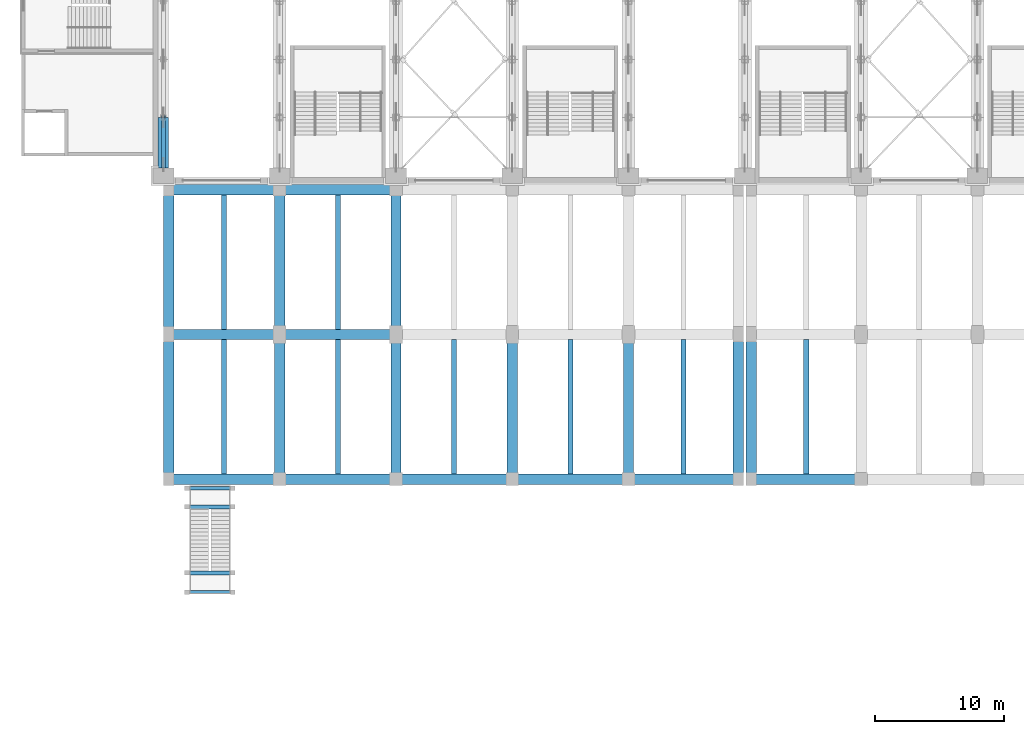
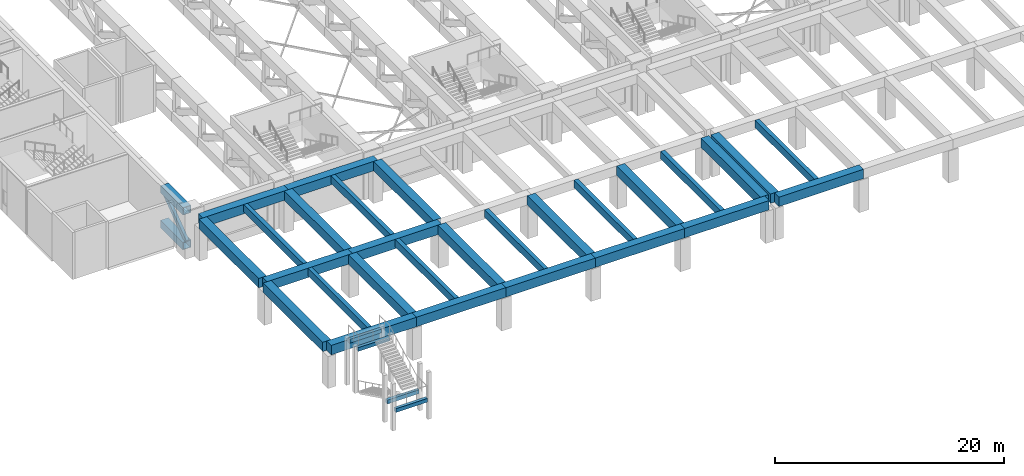
# One storey, part 7 of 76: 32 beams, 3 members.
"""IFC4 building model written with IfcOpenShell, lengths in metres."""

from ifc_helpers import new_model, si_unit, direction, frame, origin, origin_2d, place, context, subcontext, project, spatial, rectangle, hollow_rectangle, extrude, material, material_profile, profile_set, type_object, element, save


model = new_model("IFC4")

# Units and contexts
model_context = context("Model", 3, precision=1e-05, world=origin(), true_north=direction((0.0, 1.0)))
body_context = subcontext(model_context, "Body", "Model", "MODEL_VIEW")
ifc_project = project(units=[si_unit("LENGTHUNIT", "METRE"), si_unit("AREAUNIT", "SQUARE_METRE"), si_unit("VOLUMEUNIT", "CUBIC_METRE"), si_unit("PLANEANGLEUNIT", "RADIAN"), si_unit("MASSUNIT", "GRAM", prefix="KILO")], contexts=[model_context])

# Site, building, storey
site_placement = place(None, origin())
site = spatial("IfcSite", under=ifc_project, at=site_placement, CompositionType="ELEMENT")
building_placement = place(site_placement, origin())
building = spatial("IfcBuilding", under=site, at=building_placement, Name="Aravalli Gate Trade Fair Centre", CompositionType="ELEMENT")
storey_placement = place(building_placement, frame((0.0, 0.0, 10.0)))
storey = spatial("IfcBuildingStorey", under=building, at=storey_placement, Name="L02", CompositionType="ELEMENT", Elevation=10.0)

# Beams
ifc_material_1 = material(Name="Concrete M45", Category="concrete")
ifc_material_profile_1 = material_profile(ifc_material_1, rectangle(XDim=0.800048828125, YDim=1.0, at=origin_2d()), Name="Deck girder RC 800 x 1000")
ifc_profile_set_1 = profile_set([ifc_material_profile_1], Name="Concrete M45")
beam_type_1 = type_object("IfcBeamType", Name="Deck girder RC 800 x 1000", PredefinedType="BEAM", material=ifc_profile_set_1)
beam_1_placement = place(storey_placement, frame((6.39990234375, 22.5, 3.89990234375), z_axis=(1.0, 0.0, 0.0), x_axis=(0.0, 1.0, 0.0)))
element("IfcBeam", 1, at=beam_1_placement, inside=storey, type_object=beam_type_1, Name="Beam SB3-001", PredefinedType="BEAM", context=body_context, shape_type="SweptSolid", body=[
    extrude(rectangle(XDim=0.800048828125, YDim=1.0, at=origin_2d()), origin(), (0.0, 0.0, 1.0), 8.60009765625),
])
for number, where, z_axis, x_axis, name in (
    (2, (15.0, 22.5, 3.89990234375), (1.0, 0.0, 0.0), (0.0, 1.0, 0.0), "Beam SB3-002"),
    (3, (24.0, 22.5, 3.89990234375), (1.0, 0.0, 0.0), (0.0, 1.0, 0.0), "Beam SB3-003"),
    (4, (33.0, 22.5, 3.89990234375), (1.0, 0.0, 0.0), (0.0, 1.0, 0.0), "Beam SB3-004"),
):
    element("IfcBeam", number, at=place(storey_placement, frame(where, z_axis=z_axis, x_axis=x_axis)), inside=storey, type_object=beam_type_1, Name=name, PredefinedType="BEAM", context=body_context, shape_type="SweptSolid", body=[
        extrude(rectangle(XDim=0.800048828125, YDim=1.0, at=origin_2d()), origin(), (0.0, 0.0, 1.0), 9.0),
    ])
beam_2_placement = place(storey_placement, frame((42.0, 22.5, 3.89990234375), z_axis=(1.0, 0.0, 0.0), x_axis=(0.0, 1.0, 0.0)))
element("IfcBeam", 5, at=beam_2_placement, inside=storey, type_object=beam_type_1, Name="Beam SB3-005", PredefinedType="BEAM", context=body_context, shape_type="SweptSolid", body=[
    extrude(rectangle(XDim=0.800048828125, YDim=1.0, at=origin_2d()), origin(), (0.0, 0.0, 1.0), 8.5),
])
beam_3_placement = place(storey_placement, frame((6.39990234375, 33.699951171875, 3.89990234375), z_axis=(1.0, 0.0, 0.0), x_axis=(0.0, 1.0, 0.0)))
element("IfcBeam", 6, at=beam_3_placement, inside=storey, type_object=beam_type_1, Name="Beam SB3-006", PredefinedType="BEAM", context=body_context, shape_type="SweptSolid", body=[
    extrude(rectangle(XDim=0.800048828125, YDim=1.0, at=origin_2d()), origin(), (0.0, 0.0, 1.0), 8.60009765625),
])
beam_4_placement = place(storey_placement, frame((15.0, 33.699951171875, 3.89990234375), z_axis=(1.0, 0.0, 0.0), x_axis=(0.0, 1.0, 0.0)))
element("IfcBeam", 7, at=beam_4_placement, inside=storey, type_object=beam_type_1, Name="Beam SB3-007", PredefinedType="BEAM", context=body_context, shape_type="SweptSolid", body=[
    extrude(rectangle(XDim=0.800048828125, YDim=1.0, at=origin_2d()), origin(), (0.0, 0.0, 1.0), 9.0),
])
beam_5_placement = place(storey_placement, frame((6.39990234375, 44.89990234375, 3.89990234375), z_axis=(1.0, 0.0, 0.0), x_axis=(0.0, 1.0, 0.0)))
element("IfcBeam", 8, at=beam_5_placement, inside=storey, type_object=beam_type_1, Name="Beam SB3-011", PredefinedType="BEAM", context=body_context, shape_type="SweptSolid", body=[
    extrude(rectangle(XDim=0.800048828125, YDim=1.0, at=origin_2d()), origin(), (0.0, 0.0, 1.0), 8.60009765625),
])
beam_6_placement = place(storey_placement, frame((15.0, 44.89990234375, 3.89990234375), z_axis=(1.0, 0.0, 0.0), x_axis=(0.0, 1.0, 0.0)))
element("IfcBeam", 9, at=beam_6_placement, inside=storey, type_object=beam_type_1, Name="Beam SB3-012", PredefinedType="BEAM", context=body_context, shape_type="SweptSolid", body=[
    extrude(rectangle(XDim=0.800048828125, YDim=1.0, at=origin_2d()), origin(), (0.0, 0.0, 1.0), 9.0),
])
beam_7_placement = place(storey_placement, frame((6.39990234375, 22.89990234375, 3.89990234375), z_axis=(0.0, 1.0, 0.0), x_axis=(-1.0, 0.0, 0.0)))
element("IfcBeam", 10, at=beam_7_placement, inside=storey, type_object=beam_type_1, Name="Beam SB3-016", PredefinedType="BEAM", context=body_context, shape_type="SweptSolid", body=[
    extrude(rectangle(XDim=0.800048828125, YDim=1.0, at=origin_2d()), origin(), (0.0, 0.0, 1.0), 10.400146484375),
])
beam_8_placement = place(storey_placement, frame((6.39990234375, 34.10009765625, 3.89990234375), z_axis=(0.0, 1.0, 0.0), x_axis=(-1.0, 0.0, 0.0)))
element("IfcBeam", 11, at=beam_8_placement, inside=storey, type_object=beam_type_1, Name="Beam SB3-017", PredefinedType="BEAM", context=body_context, shape_type="SweptSolid", body=[
    extrude(rectangle(XDim=0.800048828125, YDim=1.0, at=origin_2d()), origin(), (0.0, 0.0, 1.0), 10.39990234375),
])
beam_9_placement = place(storey_placement, frame((15.0, 22.89990234375, 3.89990234375), z_axis=(0.0, 1.0, 0.0), x_axis=(-1.0, 0.0, 0.0)))
element("IfcBeam", 12, at=beam_9_placement, inside=storey, type_object=beam_type_1, Name="Beam SB3-018", PredefinedType="BEAM", context=body_context, shape_type="SweptSolid", body=[
    extrude(rectangle(XDim=0.800048828125, YDim=1.0, at=origin_2d()), origin(), (0.0, 0.0, 1.0), 10.400146484375),
])
beam_10_placement = place(storey_placement, frame((15.0, 34.10009765625, 3.89990234375), z_axis=(0.0, 1.0, 0.0), x_axis=(-1.0, 0.0, 0.0)))
element("IfcBeam", 13, at=beam_10_placement, inside=storey, type_object=beam_type_1, Name="Beam SB3-019", PredefinedType="BEAM", context=body_context, shape_type="SweptSolid", body=[
    extrude(rectangle(XDim=0.800048828125, YDim=1.0, at=origin_2d()), origin(), (0.0, 0.0, 1.0), 10.39990234375),
])
beam_11_placement = place(storey_placement, frame((24.0, 22.89990234375, 3.89990234375), z_axis=(0.0, 1.0, 0.0), x_axis=(-1.0, 0.0, 0.0)))
element("IfcBeam", 14, at=beam_11_placement, inside=storey, type_object=beam_type_1, Name="Beam SB3-020", PredefinedType="BEAM", context=body_context, shape_type="SweptSolid", body=[
    extrude(rectangle(XDim=0.800048828125, YDim=1.0, at=origin_2d()), origin(), (0.0, 0.0, 1.0), 10.400146484375),
])
beam_12_placement = place(storey_placement, frame((24.0, 34.10009765625, 3.89990234375), z_axis=(0.0, 1.0, 0.0), x_axis=(-1.0, 0.0, 0.0)))
element("IfcBeam", 15, at=beam_12_placement, inside=storey, type_object=beam_type_1, Name="Beam SB3-021", PredefinedType="BEAM", context=body_context, shape_type="SweptSolid", body=[
    extrude(rectangle(XDim=0.800048828125, YDim=1.0, at=origin_2d()), origin(), (0.0, 0.0, 1.0), 10.39990234375),
])
for number, where, z_axis, x_axis, name in (
    (16, (33.0, 22.89990234375, 3.89990234375), (0.0, 1.0, 0.0), (-1.0, 0.0, 0.0), "Beam SB3-022"),
    (17, (42.0, 22.89990234375, 3.89990234375), (0.0, 1.0, 0.0), (-1.0, 0.0, 0.0), "Beam SB3-024"),
    (18, (50.5, 22.89990234375, 3.89990234375), (0.0, 1.0, 0.0), (-1.0, 0.0, 0.0), "Beam SB3-026"),
):
    element("IfcBeam", number, at=place(storey_placement, frame(where, z_axis=z_axis, x_axis=x_axis)), inside=storey, type_object=beam_type_1, Name=name, PredefinedType="BEAM", context=body_context, shape_type="SweptSolid", body=[
        extrude(rectangle(XDim=0.800048828125, YDim=1.0, at=origin_2d()), origin(), (0.0, 0.0, 1.0), 10.400146484375),
    ])
beam_13_placement = place(storey_placement, frame((51.5, 22.5, 3.89990234375), z_axis=(1.0, 0.0, 0.0), x_axis=(0.0, 1.0, 0.0)))
element("IfcBeam", 19, at=beam_13_placement, inside=storey, type_object=beam_type_1, Name="Beam SB3-028", PredefinedType="BEAM", context=body_context, shape_type="SweptSolid", body=[
    extrude(rectangle(XDim=0.800048828125, YDim=1.0, at=origin_2d()), origin(), (0.0, 0.0, 1.0), 8.5),
])
beam_14_placement = place(storey_placement, frame((51.5, 22.89990234375, 3.89990234375), z_axis=(0.0, 1.0, 0.0), x_axis=(-1.0, 0.0, 0.0)))
element("IfcBeam", 20, at=beam_14_placement, inside=storey, type_object=beam_type_1, Name="Beam SB3-046", PredefinedType="BEAM", context=body_context, shape_type="SweptSolid", body=[
    extrude(rectangle(XDim=0.800048828125, YDim=1.0, at=origin_2d()), origin(), (0.0, 0.0, 1.0), 10.400146484375),
])
ifc_material_profile_2 = material_profile(ifc_material_1, rectangle(XDim=0.39990234375, YDim=0.800048828125, at=origin_2d()), Name="Deck secondary beam RC 400 x 800")
ifc_profile_set_2 = profile_set([ifc_material_profile_2], Name="Concrete M45")
beam_type_2 = type_object("IfcBeamType", Name="Deck secondary beam RC 400 x 800", PredefinedType="BEAM", material=ifc_profile_set_2)
beam_15_placement = place(storey_placement, frame((10.699951171875, 22.89990234375, 4.0), z_axis=(0.0, 1.0, 0.0), x_axis=(-1.0, 0.0, 0.0)))
element("IfcBeam", 21, at=beam_15_placement, inside=storey, type_object=beam_type_2, Name="Beam SB4-001", PredefinedType="BEAM", context=body_context, shape_type="SweptSolid", body=[
    extrude(rectangle(XDim=0.39990234375, YDim=0.800048828125, at=origin_2d()), origin(), (0.0, 0.0, 1.0), 10.400146484375),
])
beam_16_placement = place(storey_placement, frame((10.699951171875, 34.10009765625, 4.0), z_axis=(0.0, 1.0, 0.0), x_axis=(-1.0, 0.0, 0.0)))
element("IfcBeam", 22, at=beam_16_placement, inside=storey, type_object=beam_type_2, Name="Beam SB4-002", PredefinedType="BEAM", context=body_context, shape_type="SweptSolid", body=[
    extrude(rectangle(XDim=0.39990234375, YDim=0.800048828125, at=origin_2d()), origin(), (0.0, 0.0, 1.0), 10.39990234375),
])
beam_17_placement = place(storey_placement, frame((19.5, 22.89990234375, 4.0), z_axis=(0.0, 1.0, 0.0), x_axis=(-1.0, 0.0, 0.0)))
element("IfcBeam", 23, at=beam_17_placement, inside=storey, type_object=beam_type_2, Name="Beam SB4-003", PredefinedType="BEAM", context=body_context, shape_type="SweptSolid", body=[
    extrude(rectangle(XDim=0.39990234375, YDim=0.800048828125, at=origin_2d()), origin(), (0.0, 0.0, 1.0), 10.400146484375),
])
beam_18_placement = place(storey_placement, frame((19.5, 34.10009765625, 4.0), z_axis=(0.0, 1.0, 0.0), x_axis=(-1.0, 0.0, 0.0)))
element("IfcBeam", 24, at=beam_18_placement, inside=storey, type_object=beam_type_2, Name="Beam SB4-004", PredefinedType="BEAM", context=body_context, shape_type="SweptSolid", body=[
    extrude(rectangle(XDim=0.39990234375, YDim=0.800048828125, at=origin_2d()), origin(), (0.0, 0.0, 1.0), 10.39990234375),
])
for number, where, z_axis, x_axis, name in (
    (25, (28.5, 22.89990234375, 4.0), (0.0, 1.0, 0.0), (-1.0, 0.0, 0.0), "Beam SB4-005"),
    (26, (37.5, 22.89990234375, 4.0), (0.0, 1.0, 0.0), (-1.0, 0.0, 0.0), "Beam SB4-007"),
    (27, (46.25, 22.89990234375, 4.0), (0.0, 1.0, 0.0), (-1.0, 0.0, 0.0), "Beam SB4-009"),
    (28, (55.75, 22.89990234375, 4.0), (0.0, 1.0, 0.0), (-1.0, 0.0, 0.0), "Beam SB4-011"),
):
    element("IfcBeam", number, at=place(storey_placement, frame(where, z_axis=z_axis, x_axis=x_axis)), inside=storey, type_object=beam_type_2, Name=name, PredefinedType="BEAM", context=body_context, shape_type="SweptSolid", body=[
        extrude(rectangle(XDim=0.39990234375, YDim=0.800048828125, at=origin_2d()), origin(), (0.0, 0.0, 1.0), 10.400146484375),
    ])

# Members
ifc_material_2 = material(Name="Steel E350", Category="steel")
ifc_material_profile_3 = material_profile(ifc_material_2, hollow_rectangle(XDim=0.800048828125, YDim=0.800048828125, WallThickness=0.0400390625, at=origin_2d()), Name="BOX 800x800x40")
ifc_profile_set_3 = profile_set([ifc_material_profile_3], Name="Steel E350")
member_type_1 = type_object("IfcMemberType", Name="FT2 chord BOX 800x800x40", PredefinedType="CHORD", material=ifc_profile_set_3)
for number, where, z_axis, x_axis, name in (
    (29, (6.0, 46.60009765625, 0.39990234375), (0.0, 1.0, 0.0), (-1.0, 0.0, 0.0), "FT2 line 1 bottom chord 1"),
    (30, (6.0, 46.60009765625, 4.10009765625), (0.0, 1.0, 0.0), (-1.0, 0.0, 0.0), "FT2 line 1 top chord 1"),
):
    element("IfcMember", number, at=place(storey_placement, frame(where, z_axis=z_axis, x_axis=x_axis)), inside=storey, type_object=member_type_1, Name=name, PredefinedType="CHORD", context=body_context, shape_type="SweptSolid", body=[
        extrude(hollow_rectangle(XDim=0.800048828125, YDim=0.800048828125, WallThickness=0.0400390625, at=origin_2d()), origin(), (0.0, 0.0, 1.0), 3.89990234375),
    ])
ifc_material_profile_4 = material_profile(ifc_material_2, hollow_rectangle(XDim=0.300048828125, YDim=0.449951171875, WallThickness=0.02001953125, at=origin_2d()), Name="RHS 450x300x20")
ifc_profile_set_4 = profile_set([ifc_material_profile_4], Name="Steel E350")
member_type_2 = type_object("IfcMemberType", Name="FT2 diagonal RHS 450x300x20", PredefinedType="BRACE", material=ifc_profile_set_4)
member_placement = place(storey_placement, frame((6.0, 46.60009765625, 0.800048828125), z_axis=(0.0, 0.80246480806, 0.596699448487), x_axis=(-1.0, 0.0, 0.0)))
element("IfcMember", 31, at=member_placement, inside=storey, type_object=member_type_2, Name="FT2 line 1 diagonal 1", PredefinedType="BRACE", context=body_context, shape_type="SweptSolid", body=[
    extrude(hollow_rectangle(XDim=0.300048828125, YDim=0.449951171875, WallThickness=0.02001953125, at=origin_2d()), origin(), (0.0, 0.0, 1.0), 4.85986328125),
])

# Beams
ifc_material_profile_5 = material_profile(ifc_material_1, rectangle(XDim=0.300048828125, YDim=0.39990234375, at=origin_2d()), Name="Stair landing beam RC 300 x 400")
ifc_profile_set_5 = profile_set([ifc_material_profile_5], Name="Concrete M45")
beam_type_3 = type_object("IfcBeamType", Name="Stair landing beam RC 300 x 400", PredefinedType="BEAM", material=ifc_profile_set_5)
for number, where, z_axis, x_axis, name in (
    (32, (8.0, 15.25, 2.050048828125), (1.0, 0.0, 0.0), (0.0, 1.0, 0.0), "Beam SB5-009"),
    (33, (8.0, 13.75, 2.050048828125), (1.0, 0.0, 0.0), (0.0, 1.0, 0.0), "Beam SB5-010"),
    (34, (8.0, 21.800048828125, 4.550048828125), (1.0, 0.0, 0.0), (0.0, 1.0, 0.0), "Beam SB5-011"),
    (35, (8.0, 20.35009765625, 4.550048828125), (1.0, 0.0, 0.0), (0.0, 1.0, 0.0), "Beam SB5-012"),
):
    element("IfcBeam", number, at=place(storey_placement, frame(where, z_axis=z_axis, x_axis=x_axis)), inside=storey, type_object=beam_type_3, Name=name, PredefinedType="BEAM", context=body_context, shape_type="SweptSolid", body=[
        extrude(rectangle(XDim=0.300048828125, YDim=0.39990234375, at=origin_2d()), origin(), (0.0, 0.0, 1.0), 3.199951171875),
    ])

save(model, "model.ifc")
